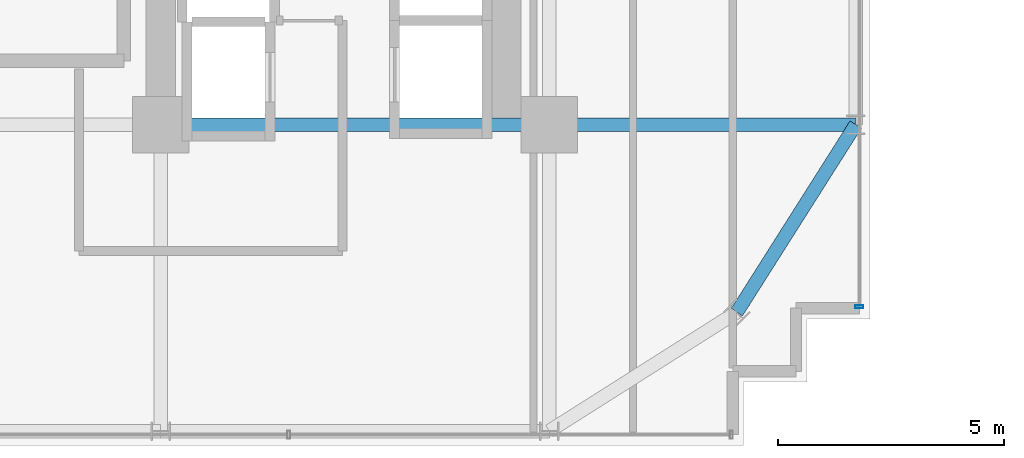
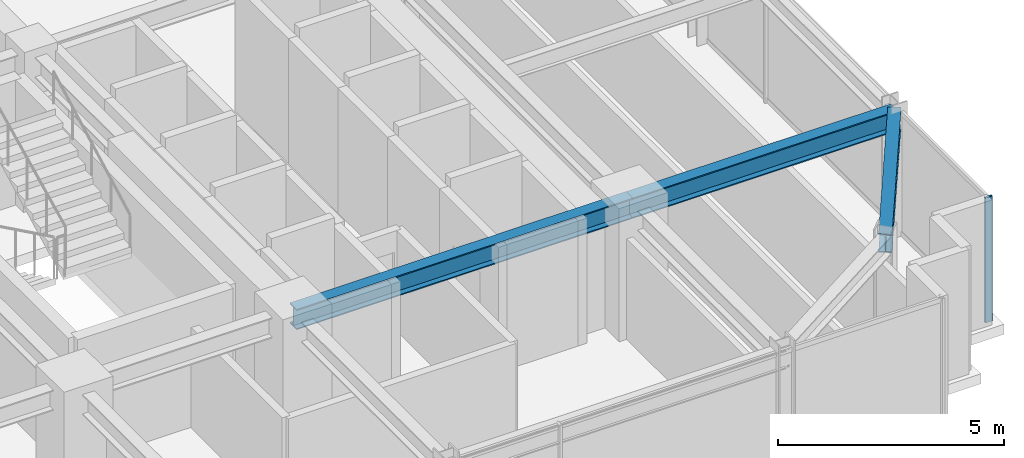
# One storey, part 12 of 32: 3 beams, 1 member, 1 element without a shape of its own.
"""IFC4 building model written with IfcOpenShell, lengths in metres."""

from ifc_helpers import new_model, si_unit, direction, frame, origin, origin_2d, place, context, subcontext, project, spatial, hollow_rectangle, i_section, extrude, source, transform, mapped, material, material_profile, profile_set, type_object, element, aggregate, save


model = new_model("IFC4")

# Units and contexts
model_context = context("Model", 3, precision=1e-05, world=origin(), true_north=direction((0.0, 1.0)))
body_context = subcontext(model_context, "Body", "Model", "MODEL_VIEW")
ifc_project = project(units=[si_unit("LENGTHUNIT", "METRE"), si_unit("AREAUNIT", "SQUARE_METRE"), si_unit("VOLUMEUNIT", "CUBIC_METRE"), si_unit("PLANEANGLEUNIT", "RADIAN"), si_unit("MASSUNIT", "GRAM", prefix="KILO")], contexts=[model_context])

# Site, building, storey
site_placement = place(None, origin())
site = spatial("IfcSite", under=ifc_project, at=site_placement, CompositionType="ELEMENT")
building_placement = place(site_placement, origin())
building = spatial("IfcBuilding", under=site, at=building_placement, Name="Nahalor Promenade Grand Hotel", CompositionType="ELEMENT")
storey_placement = place(building_placement, frame((0.0, 0.0, 102.89990234375)))
storey = spatial("IfcBuildingStorey", under=building, at=storey_placement, Name="L25", CompositionType="ELEMENT", Elevation=102.89990234375)

# Beams
ifc_material_1 = material(Name="Steel S355JR", Category="steel")
ifc_material_profile_1 = material_profile(ifc_material_1, i_section(OverallWidth=0.3, OverallDepth=0.5, WebThickness=0.0145, FlangeThickness=0.028, at=origin_2d()), Name="HEB 500")
ifc_profile_set_1 = profile_set([ifc_material_profile_1], Name="Steel S355JR")
beam_type_1 = type_object("IfcBeamType", Name="Beam-Spandrel-HEB500", PredefinedType="SPANDREL", material=ifc_profile_set_1)
shared_shape_1 = source(origin(), body_context, "Body", "SweptSolid", [
    extrude(i_section(OverallWidth=0.3, OverallDepth=0.5, WebThickness=0.0145, FlangeThickness=0.028, at=origin_2d()), origin(), (0.0, 0.0, 1.0), 4.9130859375),
])
beam_1_placement = place(storey_placement, frame((21.14990234375, -21.14990234375, 3.130126953125), z_axis=(0.535321591403, 0.844648325505, 0.0), x_axis=(-0.844648325505, 0.535321591403, 0.0)))
element("IfcBeam", 1, at=beam_1_placement, inside=storey, type_object=beam_type_1, Name="BM-L25-SPC-SE-2", PredefinedType="SPANDREL", context=body_context, shape_type="MappedRepresentation", body=[
    mapped(shared_shape_1, transform((0.0, 0.0, 0.0), scale=1.0)),
])
ifc_material_profile_2 = material_profile(ifc_material_1, i_section(OverallWidth=0.3, OverallDepth=0.55, WebThickness=0.015, FlangeThickness=0.029, at=origin_2d()), Name="HEB 550")
ifc_profile_set_2 = profile_set([ifc_material_profile_2], Name="Steel S355JR")
beam_type_2 = type_object("IfcBeamType", Name="Beam-Girder-HEB550", PredefinedType="BEAM", material=ifc_profile_set_2)
shared_shape_2 = source(origin(), body_context, "Body", "SweptSolid", [
    extrude(i_section(OverallWidth=0.3, OverallDepth=0.55, WebThickness=0.015, FlangeThickness=0.029, at=origin_2d()), origin(), (0.0, 0.0, 1.0), 6.780029296875),
])
beam_2_placement = place(storey_placement, frame((17.0, -17.0, 3.10498046875), z_axis=(1.0, 0.0, 0.0), x_axis=(0.0, 1.0, 0.0)))
element("IfcBeam", 2, at=beam_2_placement, inside=storey, type_object=beam_type_2, Name="BM-L25-GX-0-6", PredefinedType="BEAM", context=body_context, shape_type="MappedRepresentation", body=[
    mapped(shared_shape_2, transform((0.0, 0.0, 0.0), scale=1.0)),
])
shared_shape_3 = source(origin(), body_context, "Body", "SweptSolid", [
    extrude(i_section(OverallWidth=0.3, OverallDepth=0.55, WebThickness=0.015, FlangeThickness=0.029, at=origin_2d()), origin(), (0.0, 0.0, 1.0), 8.60009765625),
])
beam_3_placement = place(storey_placement, frame((8.39990234375, -17.0, 3.10498046875), z_axis=(1.0, 0.0, 0.0), x_axis=(0.0, 1.0, 0.0)))
element("IfcBeam", 3, at=beam_3_placement, inside=storey, type_object=beam_type_2, Name="BM-L25-GX-0-5", PredefinedType="BEAM", context=body_context, shape_type="MappedRepresentation", body=[
    mapped(shared_shape_3, transform((0.0, 0.0, 0.0), scale=1.0)),
])

# Curtain wall, member
ifc_material_2 = material(Name="Anodised Bronze Aluminium EN AW-6063 T6", Category="aluminium")
curtain_wall_type = type_object("IfcCurtainWallType", Name="CW2 Typical Hotel Flush Bronze Unitised Curtain Wall", PredefinedType="USERDEFINED", material=ifc_material_2)
curtain_wall_placement = place(storey_placement, origin())
curtain_wall = element("IfcCurtainWall", 4, at=curtain_wall_placement, inside=storey, type_object=curtain_wall_type, Name="L25 Curtain Wall CW-L25-E-1", ObjectType="UNITISED_CURTAIN_WALL", PredefinedType="USERDEFINED")
ifc_material_profile_3 = material_profile(ifc_material_2, hollow_rectangle(XDim=0.065, YDim=0.18, WallThickness=0.004, at=origin_2d()), Name="CWM 65x180x4")
ifc_profile_set_3 = profile_set([ifc_material_profile_3], Name="Anodised Bronze Aluminium EN AW-6063 T6")
member_type = type_object("IfcMemberType", Name="CWM2 Typical Bronze Mullion 65x180", PredefinedType="MULLION", material=ifc_profile_set_3)
shared_shape_4 = source(origin(), body_context, "Body", "SweptSolid", [
    extrude(hollow_rectangle(XDim=0.065, YDim=0.18, WallThickness=0.004, at=origin_2d()), origin(), (0.0, 0.0, 1.0), 3.380126953125),
])
member_placement = place(storey_placement, frame((23.860107421875, -21.027587890625, 0.0), z_axis=(0.0, 0.0, 1.0), x_axis=(0.0, 1.0, 0.0)))
member = element("IfcMember", 5, at=member_placement, type_object=member_type, Name="CW-L25-E-1 Mullion 0", PredefinedType="MULLION", context=body_context, shape_type="MappedRepresentation", body=[
    mapped(shared_shape_4, transform((0.0, 0.0, 0.0), scale=1.0)),
])
aggregate(curtain_wall, [member])

save(model, "model.ifc")
